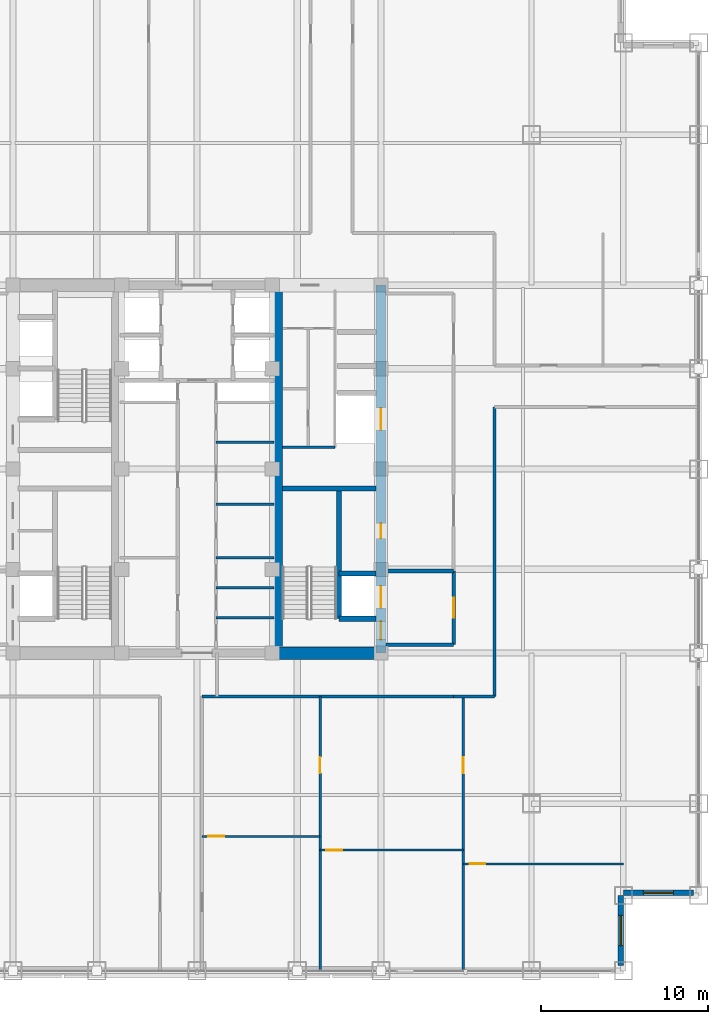
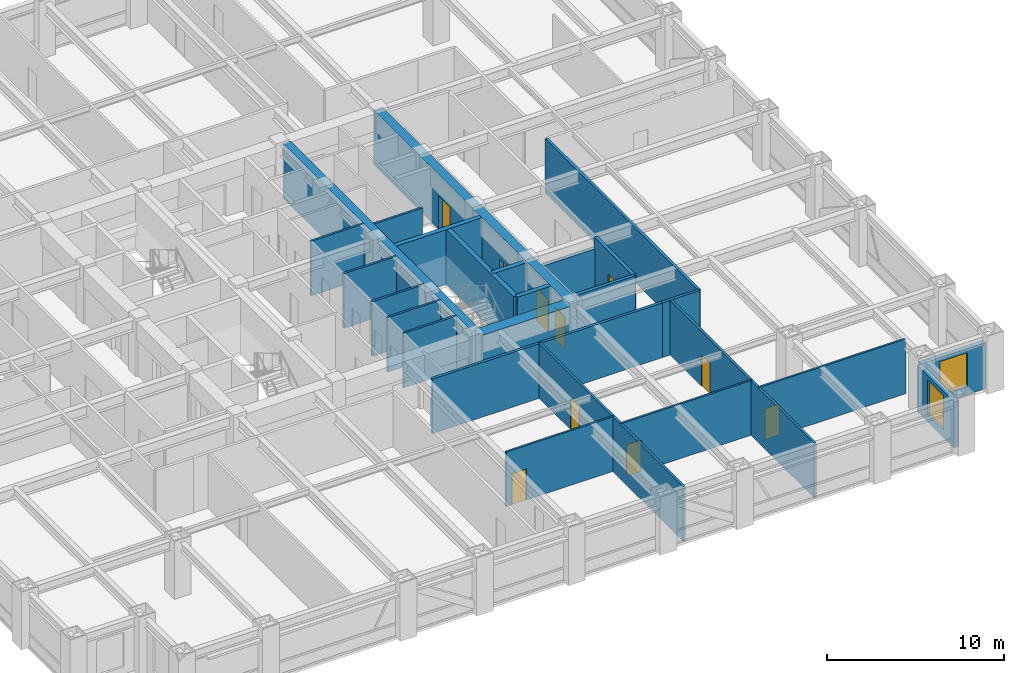
# One storey, part 21 of 28: 26 walls, 10 doors, 2 windows, 12 openings.
"""IFC4 building model written with IfcOpenShell, lengths in metres."""

from ifc_helpers import new_model, si_unit, direction, frame, frame_2d, origin, place, context, subcontext, project, spatial, rectangle, extrude, source, transform, mapped, material, layer, layer_set, type_object, element, fill, save


model = new_model("IFC4")

# Units and contexts
model_context = context("Model", 3, precision=1e-05, world=origin(), true_north=direction((0.0, 1.0)))
body_context = subcontext(model_context, "Body", "Model", "MODEL_VIEW")
ifc_project = project(units=[si_unit("LENGTHUNIT", "METRE"), si_unit("AREAUNIT", "SQUARE_METRE"), si_unit("VOLUMEUNIT", "CUBIC_METRE"), si_unit("PLANEANGLEUNIT", "RADIAN"), si_unit("MASSUNIT", "GRAM", prefix="KILO")], contexts=[model_context])

# Site, building, storey
site_placement = place(None, origin())
site = spatial("IfcSite", under=ifc_project, at=site_placement, CompositionType="ELEMENT")
building_placement = place(site_placement, origin())
building = spatial("IfcBuilding", under=site, at=building_placement, Name="Khorayat Bourse Tower", CompositionType="ELEMENT")
storey_placement = place(building_placement, frame((0.0, 0.0, 183.10009765625)))
storey = spatial("IfcBuildingStorey", under=building, at=storey_placement, Name="L42", CompositionType="ELEMENT", Elevation=183.10009765625)

# Wall, openings, doors
ifc_material_1 = material(Name="Concrete C60/75", Category="concrete")
ifc_layer_1 = layer(ifc_material_1, 0.60009765625)
ifc_layer_set_1 = layer_set([ifc_layer_1], Name="Concrete C60/75")
wall_type_1 = type_object("IfcWallType", Name="WAL-CORE-600", PredefinedType="SHEAR", material=ifc_layer_set_1)
shared_shape_1 = source(origin(), body_context, "Body", "SweptSolid", [
    extrude(rectangle(XDim=22.0, YDim=0.60009765625, at=frame_2d((11.0, 0.0))), origin(), (0.0, 0.0, 1.0), 3.77978515625),
])
wall_1_placement = place(storey_placement, frame((11.0, -11.0, 0.0), z_axis=(0.0, 0.0, 1.0), x_axis=(0.0, 1.0, 0.0)))
wall_1 = element("IfcWall", 1, at=wall_1_placement, inside=storey, type_object=wall_type_1, Name="L42 Core Shear Wall CORE-E", PredefinedType="SHEAR", context=body_context, shape_type="MappedRepresentation", body=[
    mapped(shared_shape_1, transform((0.0, 0.0, 0.0), scale=1.0)),
])
shared_shape_2 = source(origin(), body_context, "Body", "SweptSolid", [
    extrude(rectangle(XDim=1.10009765625, YDim=2.199951171875, at=frame_2d((0.550048828125, 1.10009765625))), frame((0.0, 0.31005859375, 0.0), z_axis=(0.0, -1.0, 0.0), x_axis=(1.0, 0.0, 0.0)), (0.0, 0.0, 1.0), 0.6201171875),
])
opening_1_placement = place(wall_1_placement, frame((0.800048828125, 0.0, 0.0)))
opening_1 = element("IfcOpeningElement", 2, at=opening_1_placement, cuts=wall_1, Name="Opening DI-01", PredefinedType="OPENING", context=body_context, shape_type="MappedRepresentation", body=[
    mapped(shared_shape_2, transform((0.0, 0.0, 0.0), scale=1.0)),
])
shared_shape_3 = source(origin(), body_context, "Body", "SweptSolid", [
    extrude(rectangle(XDim=0.89990234375, YDim=2.14990234375, at=frame_2d((0.449951171875, 1.074951171875))), frame((0.0, 0.31005859375, 0.0), z_axis=(0.0, -1.0, 0.0), x_axis=(1.0, 0.0, 0.0)), (0.0, 0.0, 1.0), 0.6201171875),
])
opening_2_placement = place(wall_1_placement, frame((6.85009765625, 0.0, 0.0)))
opening_2 = element("IfcOpeningElement", 3, at=opening_2_placement, cuts=wall_1, Name="Opening DI-06", PredefinedType="OPENING", context=body_context, shape_type="MappedRepresentation", body=[
    mapped(shared_shape_3, transform((0.0, 0.0, 0.0), scale=1.0)),
])
shared_shape_4 = source(origin(), body_context, "Body", "SweptSolid", [
    extrude(rectangle(XDim=1.300048828125, YDim=2.300048828125, at=frame_2d((0.64990234375, 1.14990234375))), frame((0.0, 0.31005859375, 0.0), z_axis=(0.0, -1.0, 0.0), x_axis=(1.0, 0.0, 0.0)), (0.0, 0.0, 1.0), 0.6201171875),
])
opening_3_placement = place(wall_1_placement, frame((2.699951171875, 0.0, 0.0)))
opening_3 = element("IfcOpeningElement", 4, at=opening_3_placement, cuts=wall_1, Name="Opening LD-02", PredefinedType="OPENING", context=body_context, shape_type="MappedRepresentation", body=[
    mapped(shared_shape_4, transform((0.0, 0.0, 0.0), scale=1.0)),
])
opening_4_placement = place(wall_1_placement, frame((13.35009765625, 0.0, 0.0)))
opening_4 = element("IfcOpeningElement", 5, at=opening_4_placement, cuts=wall_1, Name="Opening LD-02", PredefinedType="OPENING", context=body_context, shape_type="MappedRepresentation", body=[
    mapped(shared_shape_4, transform((0.0, 0.0, 0.0), scale=1.0)),
])
ifc_material_2 = material(Name="Fire-rated steel acoustic leaf", Category="steel")
door_type_1 = type_object("IfcDoorType", Name="DR-INT-STAIR-1100", OperationType="NOTDEFINED", PredefinedType="DOOR", material=ifc_material_2)
shared_shape_5 = source(origin(), body_context, "Body", "SweptSolid", [
    extrude(rectangle(XDim=1.10009765625, YDim=2.199951171875, at=frame_2d((0.550048828125, 1.10009765625))), frame((0.0, 0.02490234375, 0.0), z_axis=(0.0, -1.0, 0.0), x_axis=(1.0, 0.0, 0.0)), (0.0, 0.0, 1.0), 0.050048828125),
])
door_1_placement = place(opening_1_placement, origin())
door_1 = element("IfcDoor", 6, at=door_1_placement, inside=storey, type_object=door_type_1, Name="L42 Exit Stair 3 Door", OperationType="SINGLE_SWING_LEFT", OverallHeight=2.199951171875, OverallWidth=1.10009765625, PredefinedType="DOOR", context=body_context, shape_type="MappedRepresentation", body=[
    mapped(shared_shape_5, transform((0.0, 0.0, 0.0), scale=1.0)),
])
fill(opening_1, door_1)
ifc_material_3 = material(Name="Moisture-resistant laminate washroom door")
door_type_2 = type_object("IfcDoorType", Name="DR-INT-WC-900", OperationType="NOTDEFINED", PredefinedType="DOOR", material=ifc_material_3)
shared_shape_6 = source(origin(), body_context, "Body", "SweptSolid", [
    extrude(rectangle(XDim=0.89990234375, YDim=2.14990234375, at=frame_2d((0.449951171875, 1.074951171875))), frame((0.0, 0.02490234375, 0.0), z_axis=(0.0, -1.0, 0.0), x_axis=(1.0, 0.0, 0.0)), (0.0, 0.0, 1.0), 0.050048828125),
])
door_2_placement = place(opening_2_placement, origin())
door_2 = element("IfcDoor", 7, at=door_2_placement, inside=storey, type_object=door_type_2, Name="L42 Telecom Server Plant Room Door", OperationType="SINGLE_SWING_LEFT", OverallHeight=2.14990234375, OverallWidth=0.89990234375, PredefinedType="DOOR", context=body_context, shape_type="MappedRepresentation", body=[
    mapped(shared_shape_6, transform((0.0, 0.0, 0.0), scale=1.0)),
])
fill(opening_2, door_2)
ifc_material_4 = material(Name="Fire-rated stainless-steel sliding landing door", Category="steel")
door_type_3 = type_object("IfcDoorType", Name="DR-LIFT-FF-1300", OperationType="NOTDEFINED", PredefinedType="DOOR", material=ifc_material_4)
shared_shape_7 = source(origin(), body_context, "Body", "SweptSolid", [
    extrude(rectangle(XDim=1.300048828125, YDim=2.300048828125, at=frame_2d((0.64990234375, 1.14990234375))), frame((0.0, 0.02490234375, 0.0), z_axis=(0.0, -1.0, 0.0), x_axis=(1.0, 0.0, 0.0)), (0.0, 0.0, 1.0), 0.050048828125),
])
door_3_placement = place(opening_3_placement, origin())
door_3 = element("IfcDoor", 8, at=door_3_placement, inside=storey, type_object=door_type_3, Name="L42 Lift FFL-02 Sliding Landing Door", OperationType="SLIDING_TO_LEFT", OverallHeight=2.300048828125, OverallWidth=1.300048828125, PredefinedType="DOOR", context=body_context, shape_type="MappedRepresentation", body=[
    mapped(shared_shape_7, transform((0.0, 0.0, 0.0), scale=1.0)),
])
fill(opening_3, door_3)
door_4_placement = place(opening_4_placement, origin())
door_4 = element("IfcDoor", 9, at=door_4_placement, inside=storey, type_object=door_type_3, Name="L42 Lift SVL-01 Sliding Landing Door", OperationType="SLIDING_TO_LEFT", OverallHeight=2.300048828125, OverallWidth=1.300048828125, PredefinedType="DOOR", context=body_context, shape_type="MappedRepresentation", body=[
    mapped(shared_shape_7, transform((0.0, 0.0, 0.0), scale=1.0)),
])
fill(opening_4, door_4)

# Walls
ifc_material_5 = material(Name="Concrete C52/65", Category="concrete")
ifc_layer_2 = layer(ifc_material_5, 0.5)
ifc_layer_set_2 = layer_set([ifc_layer_2], Name="Concrete C52/65")
wall_type_2 = type_object("IfcWallType", Name="WAL-CORE-500", PredefinedType="SHEAR", material=ifc_layer_set_2)
shared_shape_8 = source(origin(), body_context, "Body", "SweptSolid", [
    extrude(rectangle(XDim=21.39990234375, YDim=0.5, at=frame_2d((10.699951171875, 0.0))), origin(), (0.0, 0.0, 1.0), 3.77978515625),
])
wall_2_placement = place(storey_placement, frame((4.85009765625, -10.699951171875, 0.0), z_axis=(0.0, 0.0, 1.0), x_axis=(0.0, 1.0, 0.0)))
element("IfcWall", 10, at=wall_2_placement, inside=storey, type_object=wall_type_2, Name="L42 Core Shear Wall PIER-E", PredefinedType="SHEAR", context=body_context, shape_type="MappedRepresentation", body=[
    mapped(shared_shape_8, transform((0.0, 0.0, 0.0), scale=1.0)),
])
ifc_material_6 = material(Name="Concrete C72/90", Category="concrete")
ifc_layer_3 = layer(ifc_material_6, 0.75)
ifc_layer_set_3 = layer_set([ifc_layer_3], Name="Concrete C72/90")
wall_type_3 = type_object("IfcWallType", Name="WAL-CORE-750", PredefinedType="SHEAR", material=ifc_layer_set_3)
shared_shape_9 = source(origin(), body_context, "Body", "SweptSolid", [
    extrude(rectangle(XDim=5.849853515625, YDim=0.75, at=frame_2d((2.9248046875, 0.0))), origin(), (0.0, 0.0, 1.0), 3.77978515625),
])
wall_3_placement = place(storey_placement, frame((4.85009765625, -11.0, 0.0), z_axis=(0.0, 0.0, 1.0), x_axis=(1.0, 0.0, 0.0)))
element("IfcWall", 11, at=wall_3_placement, inside=storey, type_object=wall_type_3, Name="L42 Core Shear Wall PIER-ES", PredefinedType="SHEAR", context=body_context, shape_type="MappedRepresentation", body=[
    mapped(shared_shape_9, transform((0.0, 0.0, 0.0), scale=1.0)),
])
ifc_material_7 = material(Name="Concrete C50/60", Category="concrete")
ifc_layer_4 = layer(ifc_material_7, 0.300048828125)
ifc_layer_set_4 = layer_set([ifc_layer_4], Name="Concrete C50/60")
wall_type_4 = type_object("IfcWallType", Name="WAL-SHAFT-300", PredefinedType="SHEAR", material=ifc_layer_set_4)
shared_shape_10 = source(origin(), body_context, "Body", "SweptSolid", [
    extrude(rectangle(XDim=5.599853515625, YDim=0.300048828125, at=frame_2d((2.7998046875, 0.0))), origin(), (0.0, 0.0, 1.0), 3.77978515625),
])
wall_4_placement = place(storey_placement, frame((5.10009765625, -1.14990234375, 0.0), z_axis=(0.0, 0.0, 1.0), x_axis=(1.0, 0.0, 0.0)))
element("IfcWall", 12, at=wall_4_placement, inside=storey, type_object=wall_type_4, Name="L42 Core Shear Wall ST3-DIV", PredefinedType="SHEAR", context=body_context, shape_type="MappedRepresentation", body=[
    mapped(shared_shape_10, transform((0.0, 0.0, 0.0), scale=1.0)),
])

# Wall, opening, window
ifc_material_8 = material(Name="Precast concrete C45/55", Category="concrete")
ifc_layer_5 = layer(ifc_material_8, 0.320068359375)
ifc_layer_set_5 = layer_set([ifc_layer_5], Name="Precast concrete C45/55")
wall_type_5 = type_object("IfcWallType", Name="WAL-EXT-STONE-320", PredefinedType="STANDARD", material=ifc_layer_set_5)
shared_shape_11 = source(origin(), body_context, "Body", "SweptSolid", [
    extrude(rectangle(XDim=4.179931640625, YDim=0.320068359375, at=frame_2d((2.08984375, 0.0))), origin(), (0.0, 0.0, 1.0), 3.163818359375),
])
wall_5_placement = place(storey_placement, frame((25.340087890625, -29.679931640625, 0.0), z_axis=(0.0, 0.0, 1.0), x_axis=(0.0, 1.0, 0.0)))
wall_5 = element("IfcWall", 13, at=wall_5_placement, inside=storey, type_object=wall_type_5, Name="L42 Re-Entrant Notch Limestone Wall SE-V", PredefinedType="STANDARD", context=body_context, shape_type="MappedRepresentation", body=[
    mapped(shared_shape_11, transform((0.0, 0.0, 0.0), scale=1.0)),
])
shared_shape_12 = source(origin(), body_context, "Body", "SweptSolid", [
    extrude(rectangle(XDim=1.800048828125, YDim=2.39990234375, at=frame_2d((0.89990234375, 1.199951171875))), frame((0.0, 0.169921875, 0.0), z_axis=(0.0, -1.0, 0.0), x_axis=(1.0, 0.0, 0.0)), (0.0, 0.0, 1.0), 0.340087890625),
])
opening_5_placement = place(wall_5_placement, frame((1.18994140625, 0.0, 0.5)))
opening_5 = element("IfcOpeningElement", 14, at=opening_5_placement, cuts=wall_5, Name="Opening WN-04", PredefinedType="OPENING", context=body_context, shape_type="MappedRepresentation", body=[
    mapped(shared_shape_12, transform((0.0, 0.0, 0.0), scale=1.0)),
])
ifc_material_9 = material(Name="Low-E acoustic laminated double glazing", Category="glass")
window_type = type_object("IfcWindowType", Name="WIN-NOTCH-1800x2400", PartitioningType="SINGLE_PANEL", PredefinedType="WINDOW", material=ifc_material_9)
shared_shape_13 = source(origin(), body_context, "Body", "SweptSolid", [
    extrude(rectangle(XDim=1.800048828125, YDim=2.39990234375, at=frame_2d((0.89990234375, 1.199951171875))), frame((0.0, 0.030029296875, 0.0), z_axis=(0.0, -1.0, 0.0), x_axis=(1.0, 0.0, 0.0)), (0.0, 0.0, 1.0), 0.06005859375),
])
window_1_placement = place(opening_5_placement, origin())
window_1 = element("IfcWindow", 15, at=window_1_placement, inside=storey, type_object=window_type, Name="L42 Facade Window 1", OverallHeight=2.39990234375, OverallWidth=1.800048828125, PartitioningType="SINGLE_PANEL", PredefinedType="WINDOW", context=body_context, shape_type="MappedRepresentation", body=[
    mapped(shared_shape_13, transform((0.0, 0.0, 0.0), scale=1.0)),
])
fill(opening_5, window_1)

wall_6_placement = place(storey_placement, frame((25.5, -25.340087890625, 0.0), z_axis=(0.0, 0.0, 1.0), x_axis=(1.0, 0.0, 0.0)))
wall_6 = element("IfcWall", 16, at=wall_6_placement, inside=storey, type_object=wall_type_5, Name="L42 Re-Entrant Notch Limestone Wall SE-H", PredefinedType="STANDARD", context=body_context, shape_type="MappedRepresentation", body=[
    mapped(shared_shape_11, transform((0.0, 0.0, 0.0), scale=1.0)),
])
opening_6_placement = place(wall_6_placement, frame((1.18994140625, 0.0, 0.5)))
opening_6 = element("IfcOpeningElement", 17, at=opening_6_placement, cuts=wall_6, Name="Opening WN-04", PredefinedType="OPENING", context=body_context, shape_type="MappedRepresentation", body=[
    mapped(shared_shape_12, transform((0.0, 0.0, 0.0), scale=1.0)),
])
window_2_placement = place(opening_6_placement, origin())
window_2 = element("IfcWindow", 18, at=window_2_placement, inside=storey, type_object=window_type, Name="L42 Facade Window 1", OverallHeight=2.39990234375, OverallWidth=1.800048828125, PartitioningType="SINGLE_PANEL", PredefinedType="WINDOW", context=body_context, shape_type="MappedRepresentation", body=[
    mapped(shared_shape_13, transform((0.0, 0.0, 0.0), scale=1.0)),
])
fill(opening_6, window_2)

# Walls
shared_shape_14 = source(origin(), body_context, "Body", "SweptSolid", [
    extrude(rectangle(XDim=7.800048828125, YDim=0.300048828125, at=frame_2d((3.89990234375, 0.0))), origin(), (0.0, 0.0, 1.0), 3.77978515625),
])
wall_7_placement = place(storey_placement, frame((8.5, -8.949951171875, 0.0), z_axis=(0.0, 0.0, 1.0), x_axis=(0.0, 1.0, 0.0)))
element("IfcWall", 19, at=wall_7_placement, inside=storey, type_object=wall_type_4, Name="L42 Partition WAL-L42-EPIER-SP", PredefinedType="SHEAR", context=body_context, shape_type="MappedRepresentation", body=[
    mapped(shared_shape_14, transform((0.0, 0.0, 0.0), scale=1.0)),
])
shared_shape_15 = source(origin(), body_context, "Body", "SweptSolid", [
    extrude(rectangle(XDim=2.199951171875, YDim=0.300048828125, at=frame_2d((1.10009765625, 0.0))), origin(), (0.0, 0.0, 1.0), 3.77978515625),
])
for number, where, z_axis, x_axis, name in (
    (20, (8.5, -8.949951171875, 0.0), (0.0, 0.0, 1.0), (1.0, 0.0, 0.0), "L42 Partition WAL-L42-EPIER-FF2S"),
    (21, (8.5, -6.25, 0.0), (0.0, 0.0, 1.0), (1.0, 0.0, 0.0), "L42 Partition WAL-L42-EPIER-FF2N"),
):
    element("IfcWall", number, at=place(storey_placement, frame(where, z_axis=z_axis, x_axis=x_axis)), inside=storey, type_object=wall_type_4, Name=name, PredefinedType="SHEAR", context=body_context, shape_type="MappedRepresentation", body=[
        mapped(shared_shape_15, transform((0.0, 0.0, 0.0), scale=1.0)),
    ])
ifc_material_10 = material(Name="Moisture-resistant masonry partition", Category="masonry")
ifc_layer_6 = layer(ifc_material_10, 0.139892578125)
ifc_layer_set_6 = layer_set([ifc_layer_6], Name="Moisture-resistant masonry partition")
wall_type_6 = type_object("IfcWallType", Name="WAL-PART-WET-140", PredefinedType="PARTITIONING", material=ifc_layer_set_6)
shared_shape_16 = source(origin(), body_context, "Body", "SweptSolid", [
    extrude(rectangle(XDim=3.14990234375, YDim=0.139892578125, at=frame_2d((1.574951171875, 0.0))), origin(), (0.0, 0.0, 1.0), 3.77978515625),
])
wall_8_placement = place(storey_placement, frame((5.10009765625, 1.300048828125, 0.0), z_axis=(0.0, 0.0, 1.0), x_axis=(1.0, 0.0, 0.0)))
element("IfcWall", 22, at=wall_8_placement, inside=storey, type_object=wall_type_6, Name="L42 Partition WAL-L42-ECORE-S", PredefinedType="PARTITIONING", context=body_context, shape_type="MappedRepresentation", body=[
    mapped(shared_shape_16, transform((0.0, 0.0, 0.0), scale=1.0)),
])
ifc_material_11 = material(Name="Aerated concrete blockwork", Category="masonry")
ifc_layer_7 = layer(ifc_material_11, 0.219970703125)
ifc_layer_set_7 = layer_set([ifc_layer_7], Name="Aerated concrete blockwork")
wall_type_7 = type_object("IfcWallType", Name="WAL-PART-FF-220", PredefinedType="PARTITIONING", material=ifc_layer_set_7)
shared_shape_17 = source(origin(), body_context, "Body", "SweptSolid", [
    extrude(rectangle(XDim=4.050048828125, YDim=0.219970703125, at=frame_2d((2.02490234375, 0.0))), origin(), (0.0, 0.0, 1.0), 3.77978515625),
])
wall_9_placement = place(storey_placement, frame((11.300048828125, -10.5, 0.0), z_axis=(0.0, 0.0, 1.0), x_axis=(1.0, 0.0, 0.0)))
element("IfcWall", 23, at=wall_9_placement, inside=storey, type_object=wall_type_7, Name="L42 Partition WAL-L42-FFLE-S", PredefinedType="PARTITIONING", context=body_context, shape_type="MappedRepresentation", body=[
    mapped(shared_shape_17, transform((0.0, 0.0, 0.0), scale=1.0)),
])
shared_shape_18 = source(origin(), body_context, "Body", "SweptSolid", [
    extrude(rectangle(XDim=4.050048828125, YDim=0.219970703125, at=frame_2d((2.02490234375, 0.0))), origin(), (0.0, 0.0, 1.0), 3.0068359375),
])
wall_10_placement = place(storey_placement, frame((11.300048828125, -6.10009765625, 0.0), z_axis=(0.0, 0.0, 1.0), x_axis=(1.0, 0.0, 0.0)))
element("IfcWall", 24, at=wall_10_placement, inside=storey, type_object=wall_type_7, Name="L42 Partition WAL-L42-FFLE-N", PredefinedType="PARTITIONING", context=body_context, shape_type="MappedRepresentation", body=[
    mapped(shared_shape_18, transform((0.0, 0.0, 0.0), scale=1.0)),
])

# Wall, opening, door
shared_shape_19 = source(origin(), body_context, "Body", "SweptSolid", [
    extrude(rectangle(XDim=4.39990234375, YDim=0.219970703125, at=frame_2d((2.199951171875, 0.0))), origin(), (0.0, 0.0, 1.0), 3.77978515625),
])
wall_11_placement = place(storey_placement, frame((15.35009765625, -10.5, 0.0), z_axis=(0.0, 0.0, 1.0), x_axis=(0.0, 1.0, 0.0)))
wall_11 = element("IfcWall", 25, at=wall_11_placement, inside=storey, type_object=wall_type_7, Name="L42 Partition WAL-L42-FFLE-E", PredefinedType="PARTITIONING", context=body_context, shape_type="MappedRepresentation", body=[
    mapped(shared_shape_19, transform((0.0, 0.0, 0.0), scale=1.0)),
])
shared_shape_20 = source(origin(), body_context, "Body", "SweptSolid", [
    extrude(rectangle(XDim=1.199951171875, YDim=2.199951171875, at=frame_2d((0.60009765625, 1.10009765625))), frame((0.0, 0.119873046875, 0.0), z_axis=(0.0, -1.0, 0.0), x_axis=(1.0, 0.0, 0.0)), (0.0, 0.0, 1.0), 0.239990234375),
])
opening_7_placement = place(wall_11_placement, frame((1.60009765625, 0.0, 0.0)))
opening_7 = element("IfcOpeningElement", 26, at=opening_7_placement, cuts=wall_11, Name="Opening DI-02", PredefinedType="OPENING", context=body_context, shape_type="MappedRepresentation", body=[
    mapped(shared_shape_20, transform((0.0, 0.0, 0.0), scale=1.0)),
])
ifc_material_12 = material(Name="Fire-rated steel double-seal leaf", Category="steel")
door_type_4 = type_object("IfcDoorType", Name="DR-INT-FFLOBBY-1200", OperationType="NOTDEFINED", PredefinedType="DOOR", material=ifc_material_12)
shared_shape_21 = source(origin(), body_context, "Body", "SweptSolid", [
    extrude(rectangle(XDim=1.199951171875, YDim=2.199951171875, at=frame_2d((0.60009765625, 1.10009765625))), frame((0.0, 0.02490234375, 0.0), z_axis=(0.0, -1.0, 0.0), x_axis=(1.0, 0.0, 0.0)), (0.0, 0.0, 1.0), 0.050048828125),
])
door_5_placement = place(opening_7_placement, origin())
door_5 = element("IfcDoor", 27, at=door_5_placement, inside=storey, type_object=door_type_4, Name="L42 East Firefighting Lobby Door", OperationType="SINGLE_SWING_RIGHT", OverallHeight=2.199951171875, OverallWidth=1.199951171875, PredefinedType="DOOR", context=body_context, shape_type="MappedRepresentation", body=[
    mapped(shared_shape_21, transform((0.0, 0.0, 0.0), scale=1.0)),
])
fill(opening_7, door_5)

# Walls
ifc_material_13 = material(Name="Gypsum plasterboard twin-frame partition")
ifc_layer_8 = layer(ifc_material_13, 0.14990234375)
ifc_layer_set_8 = layer_set([ifc_layer_8], Name="Gypsum plasterboard twin-frame partition")
wall_type_8 = type_object("IfcWallType", Name="WAL-PART-SUITE-150", PredefinedType="PARTITIONING", material=ifc_layer_set_8)
shared_shape_22 = source(origin(), body_context, "Body", "SweptSolid", [
    extrude(rectangle(XDim=3.4501953125, YDim=0.14990234375, at=frame_2d((1.72509765625, 0.0))), origin(), (0.0, 0.0, 1.0), 3.77978515625),
])
wall_12_placement = place(storey_placement, frame((1.14990234375, -5.300048828125, 0.0), z_axis=(0.0, 0.0, 1.0), x_axis=(1.0, 0.0, 0.0)))
element("IfcWall", 28, at=wall_12_placement, inside=storey, type_object=wall_type_8, Name="L42 Partition WAL-L42-FB1-NE", PredefinedType="PARTITIONING", context=body_context, shape_type="MappedRepresentation", body=[
    mapped(shared_shape_22, transform((0.0, 0.0, 0.0), scale=1.0)),
])
shared_shape_23 = source(origin(), body_context, "Body", "SweptSolid", [
    extrude(rectangle(XDim=3.4501953125, YDim=0.139892578125, at=frame_2d((1.72509765625, 0.0))), origin(), (0.0, 0.0, 1.0), 3.77978515625),
])
for number, where, z_axis, x_axis, name in (
    (29, (1.14990234375, -8.89990234375, 0.0), (0.0, 0.0, 1.0), (1.0, 0.0, 0.0), "L42 Partition WAL-L42-FB1E-D1"),
    (30, (1.14990234375, -7.10009765625, 0.0), (0.0, 0.0, 1.0), (1.0, 0.0, 0.0), "L42 Partition WAL-L42-FB1E-D2"),
    (31, (1.14990234375, -2.10009765625, 0.0), (0.0, 0.0, 1.0), (1.0, 0.0, 0.0), "L42 Partition WAL-L42-CME-D1"),
    (32, (1.14990234375, 1.60009765625, 0.0), (0.0, 0.0, 1.0), (1.0, 0.0, 0.0), "L42 Partition WAL-L42-CME-D2"),
):
    element("IfcWall", number, at=place(storey_placement, frame(where, z_axis=z_axis, x_axis=x_axis)), inside=storey, type_object=wall_type_6, Name=name, PredefinedType="PARTITIONING", context=body_context, shape_type="MappedRepresentation", body=[
        mapped(shared_shape_23, transform((0.0, 0.0, 0.0), scale=1.0)),
    ])
ifc_material_14 = material(Name="Gypsum plasterboard acoustic stud wall")
ifc_layer_9 = layer(ifc_material_14, 0.179931640625)
ifc_layer_set_9 = layer_set([ifc_layer_9], Name="Gypsum plasterboard acoustic stud wall")
wall_type_9 = type_object("IfcWallType", Name="WAL-PART-CORR-180", PredefinedType="PARTITIONING", material=ifc_layer_set_9)
shared_shape_24 = source(origin(), body_context, "Body", "SweptSolid", [
    extrude(rectangle(XDim=2.449951171875, YDim=0.179931640625, at=frame_2d((1.22509765625, 0.0))), origin(), (0.0, 0.0, 1.0), 3.77978515625),
])
wall_13_placement = place(storey_placement, frame((15.35009765625, -13.60009765625, 0.0), z_axis=(0.0, 0.0, 1.0), x_axis=(1.0, 0.0, 0.0)))
element("IfcWall", 33, at=wall_13_placement, inside=storey, type_object=wall_type_9, Name="L42 Partition WAL-L42-C2-ES", PredefinedType="PARTITIONING", context=body_context, shape_type="MappedRepresentation", body=[
    mapped(shared_shape_24, transform((0.0, 0.0, 0.0), scale=1.0)),
])

# Wall, opening, door
shared_shape_25 = source(origin(), body_context, "Body", "SweptSolid", [
    extrude(rectangle(XDim=16.39990234375, YDim=0.14990234375, at=frame_2d((8.199951171875, 0.0))), origin(), (0.0, 0.0, 1.0), 3.77978515625),
])
wall_14_placement = place(storey_placement, frame((7.35595703125, -30.0, 0.0), z_axis=(0.0, 0.0, 1.0), x_axis=(0.0, 1.0, 0.0)))
wall_14 = element("IfcWall", 34, at=wall_14_placement, inside=storey, type_object=wall_type_8, Name="L42 Partition WAL-L42-QSEDV-1", PredefinedType="PARTITIONING", context=body_context, shape_type="MappedRepresentation", body=[
    mapped(shared_shape_25, transform((0.0, 0.0, 0.0), scale=1.0)),
])
shared_shape_26 = source(origin(), body_context, "Body", "SweptSolid", [
    extrude(rectangle(XDim=0.949951171875, YDim=2.14990234375, at=frame_2d((0.47509765625, 1.074951171875))), frame((0.0, 0.0849609375, 0.0), z_axis=(0.0, -1.0, 0.0), x_axis=(1.0, 0.0, 0.0)), (0.0, 0.0, 1.0), 0.169921875),
])
opening_8_placement = place(wall_14_placement, frame((11.824951171875, 0.0, 0.0)))
opening_8 = element("IfcOpeningElement", 35, at=opening_8_placement, cuts=wall_14, Name="Opening DI-05", PredefinedType="OPENING", context=body_context, shape_type="MappedRepresentation", body=[
    mapped(shared_shape_26, transform((0.0, 0.0, 0.0), scale=1.0)),
])
ifc_material_15 = material(Name="Acoustic oak veneer office door")
door_type_5 = type_object("IfcDoorType", Name="DR-INT-OFFICE-950", OperationType="NOTDEFINED", PredefinedType="DOOR", material=ifc_material_15)
shared_shape_27 = source(origin(), body_context, "Body", "SweptSolid", [
    extrude(rectangle(XDim=0.949951171875, YDim=2.14990234375, at=frame_2d((0.47509765625, 1.074951171875))), frame((0.0, 0.02490234375, 0.0), z_axis=(0.0, -1.0, 0.0), x_axis=(1.0, 0.0, 0.0)), (0.0, 0.0, 1.0), 0.050048828125),
])
door_6_placement = place(opening_8_placement, origin())
door_6 = element("IfcDoor", 36, at=door_6_placement, inside=storey, type_object=door_type_5, Name="L42 South-East Suite Link 1", OperationType="SINGLE_SWING_RIGHT", OverallHeight=2.14990234375, OverallWidth=0.949951171875, PredefinedType="DOOR", context=body_context, shape_type="MappedRepresentation", body=[
    mapped(shared_shape_27, transform((0.0, 0.0, 0.0), scale=1.0)),
])
fill(opening_8, door_6)

wall_15_placement = place(storey_placement, frame((15.924072265625, -30.0, 0.0), z_axis=(0.0, 0.0, 1.0), x_axis=(0.0, 1.0, 0.0)))
wall_15 = element("IfcWall", 37, at=wall_15_placement, inside=storey, type_object=wall_type_8, Name="L42 Partition WAL-L42-QSEDV-2", PredefinedType="PARTITIONING", context=body_context, shape_type="MappedRepresentation", body=[
    mapped(shared_shape_25, transform((0.0, 0.0, 0.0), scale=1.0)),
])
opening_9_placement = place(wall_15_placement, frame((11.824951171875, 0.0, 0.0)))
opening_9 = element("IfcOpeningElement", 38, at=opening_9_placement, cuts=wall_15, Name="Opening DI-05", PredefinedType="OPENING", context=body_context, shape_type="MappedRepresentation", body=[
    mapped(shared_shape_26, transform((0.0, 0.0, 0.0), scale=1.0)),
])
door_7_placement = place(opening_9_placement, origin())
door_7 = element("IfcDoor", 39, at=door_7_placement, inside=storey, type_object=door_type_5, Name="L42 South-East Suite Link 2", OperationType="SINGLE_SWING_LEFT", OverallHeight=2.14990234375, OverallWidth=0.949951171875, PredefinedType="DOOR", context=body_context, shape_type="MappedRepresentation", body=[
    mapped(shared_shape_27, transform((0.0, 0.0, 0.0), scale=1.0)),
])
fill(opening_9, door_7)

ifc_material_16 = material(Name="Gypsum plasterboard partition")
ifc_layer_10 = layer(ifc_material_16, 0.125)
ifc_layer_set_10 = layer_set([ifc_layer_10], Name="Gypsum plasterboard partition")
wall_type_10 = type_object("IfcWallType", Name="WAL-PART-ROOM-125", PredefinedType="PARTITIONING", material=ifc_layer_set_10)
shared_shape_28 = source(origin(), body_context, "Body", "SweptSolid", [
    extrude(rectangle(XDim=7.055908203125, YDim=0.125, at=frame_2d((3.52783203125, 0.0))), origin(), (0.0, 0.0, 1.0), 3.77978515625),
])
wall_16_placement = place(storey_placement, frame((0.300048828125, -21.964111328125, 0.0), z_axis=(0.0, 0.0, 1.0), x_axis=(1.0, 0.0, 0.0)))
wall_16 = element("IfcWall", 40, at=wall_16_placement, inside=storey, type_object=wall_type_10, Name="L42 Partition WAL-L42-QSEDP-1", PredefinedType="PARTITIONING", context=body_context, shape_type="MappedRepresentation", body=[
    mapped(shared_shape_28, transform((0.0, 0.0, 0.0), scale=1.0)),
])
shared_shape_29 = source(origin(), body_context, "Body", "SweptSolid", [
    extrude(rectangle(XDim=0.949951171875, YDim=2.14990234375, at=frame_2d((0.47509765625, 1.074951171875))), frame((0.0, 0.072509765625, 0.0), z_axis=(0.0, -1.0, 0.0), x_axis=(1.0, 0.0, 0.0)), (0.0, 0.0, 1.0), 0.14501953125),
])
opening_10_placement = place(wall_16_placement, frame((0.375, 0.0, 0.0)))
opening_10 = element("IfcOpeningElement", 41, at=opening_10_placement, cuts=wall_16, Name="Opening DI-05", PredefinedType="OPENING", context=body_context, shape_type="MappedRepresentation", body=[
    mapped(shared_shape_29, transform((0.0, 0.0, 0.0), scale=1.0)),
])
door_8_placement = place(opening_10_placement, origin())
door_8 = element("IfcDoor", 42, at=door_8_placement, inside=storey, type_object=door_type_5, Name="L42 South-East Members Club Room 1B Door", OperationType="SINGLE_SWING_RIGHT", OverallHeight=2.14990234375, OverallWidth=0.949951171875, PredefinedType="DOOR", context=body_context, shape_type="MappedRepresentation", body=[
    mapped(shared_shape_27, transform((0.0, 0.0, 0.0), scale=1.0)),
])
fill(opening_10, door_8)

shared_shape_30 = source(origin(), body_context, "Body", "SweptSolid", [
    extrude(rectangle(XDim=8.568115234375, YDim=0.125, at=frame_2d((4.2841796875, 0.0))), origin(), (0.0, 0.0, 1.0), 3.77978515625),
])
wall_17_placement = place(storey_placement, frame((7.35595703125, -22.783935546875, 0.0), z_axis=(0.0, 0.0, 1.0), x_axis=(1.0, 0.0, 0.0)))
wall_17 = element("IfcWall", 43, at=wall_17_placement, inside=storey, type_object=wall_type_10, Name="L42 Partition WAL-L42-QSEDP-2", PredefinedType="PARTITIONING", context=body_context, shape_type="MappedRepresentation", body=[
    mapped(shared_shape_30, transform((0.0, 0.0, 0.0), scale=1.0)),
])
opening_11_placement = place(wall_17_placement, frame((0.375, 0.0, 0.0)))
opening_11 = element("IfcOpeningElement", 44, at=opening_11_placement, cuts=wall_17, Name="Opening DI-05", PredefinedType="OPENING", context=body_context, shape_type="MappedRepresentation", body=[
    mapped(shared_shape_29, transform((0.0, 0.0, 0.0), scale=1.0)),
])
door_9_placement = place(opening_11_placement, origin())
door_9 = element("IfcDoor", 45, at=door_9_placement, inside=storey, type_object=door_type_5, Name="L42 South-East Members Dining Room 2B Door", OperationType="SINGLE_SWING_LEFT", OverallHeight=2.14990234375, OverallWidth=0.949951171875, PredefinedType="DOOR", context=body_context, shape_type="MappedRepresentation", body=[
    mapped(shared_shape_27, transform((0.0, 0.0, 0.0), scale=1.0)),
])
fill(opening_11, door_9)

shared_shape_31 = source(origin(), body_context, "Body", "SweptSolid", [
    extrude(rectangle(XDim=9.575927734375, YDim=0.125, at=frame_2d((4.7880859375, 0.0))), origin(), (0.0, 0.0, 1.0), 3.77978515625),
])
wall_18_placement = place(storey_placement, frame((15.924072265625, -23.60400390625, 0.0), z_axis=(0.0, 0.0, 1.0), x_axis=(1.0, 0.0, 0.0)))
wall_18 = element("IfcWall", 46, at=wall_18_placement, inside=storey, type_object=wall_type_10, Name="L42 Partition WAL-L42-QSEDP-3", PredefinedType="PARTITIONING", context=body_context, shape_type="MappedRepresentation", body=[
    mapped(shared_shape_31, transform((0.0, 0.0, 0.0), scale=1.0)),
])
opening_12_placement = place(wall_18_placement, frame((0.375, 0.0, 0.0)))
opening_12 = element("IfcOpeningElement", 47, at=opening_12_placement, cuts=wall_18, Name="Opening DI-05", PredefinedType="OPENING", context=body_context, shape_type="MappedRepresentation", body=[
    mapped(shared_shape_29, transform((0.0, 0.0, 0.0), scale=1.0)),
])
door_10_placement = place(opening_12_placement, origin())
door_10 = element("IfcDoor", 48, at=door_10_placement, inside=storey, type_object=door_type_5, Name="L42 South-East Clearing Records Archive Store 3B Door", OperationType="SINGLE_SWING_RIGHT", OverallHeight=2.14990234375, OverallWidth=0.949951171875, PredefinedType="DOOR", context=body_context, shape_type="MappedRepresentation", body=[
    mapped(shared_shape_27, transform((0.0, 0.0, 0.0), scale=1.0)),
])
fill(opening_12, door_10)

# Walls
shared_shape_32 = source(origin(), body_context, "Body", "SweptSolid", [
    extrude(rectangle(XDim=15.050048828125, YDim=0.179931640625, at=frame_2d((7.52490234375, 0.0))), origin(), (0.0, 0.0, 1.0), 3.77978515625),
])
wall_19_placement = place(storey_placement, frame((0.300048828125, -13.60009765625, 0.0), z_axis=(0.0, 0.0, 1.0), x_axis=(1.0, 0.0, 0.0)))
element("IfcWall", 49, at=wall_19_placement, inside=storey, type_object=wall_type_9, Name="L42 Partition WAL-L42-QSE-HC", PredefinedType="PARTITIONING", context=body_context, shape_type="MappedRepresentation", body=[
    mapped(shared_shape_32, transform((0.0, 0.0, 0.0), scale=1.0)),
])
shared_shape_33 = source(origin(), body_context, "Body", "SweptSolid", [
    extrude(rectangle(XDim=17.300048828125, YDim=0.179931640625, at=frame_2d((8.64990234375, 0.0))), origin(), (0.0, 0.0, 1.0), 3.77978515625),
])
wall_20_placement = place(storey_placement, frame((17.800048828125, -13.60009765625, 0.0), z_axis=(0.0, 0.0, 1.0), x_axis=(0.0, 1.0, 0.0)))
element("IfcWall", 50, at=wall_20_placement, inside=storey, type_object=wall_type_9, Name="L42 Partition WAL-L42-ES-IN", PredefinedType="PARTITIONING", context=body_context, shape_type="MappedRepresentation", body=[
    mapped(shared_shape_33, transform((0.0, 0.0, 0.0), scale=1.0)),
])

save(model, "model.ifc")
